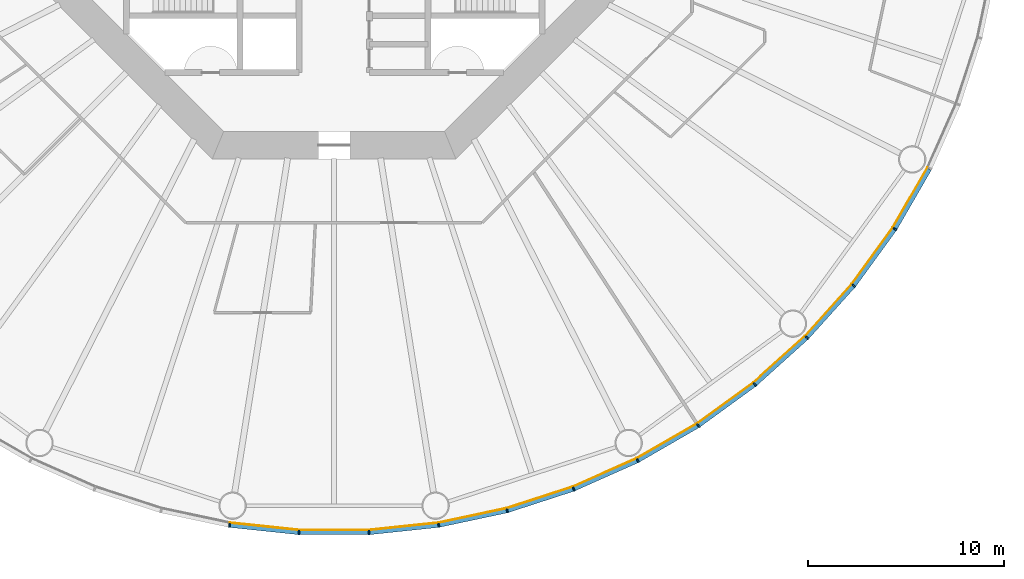
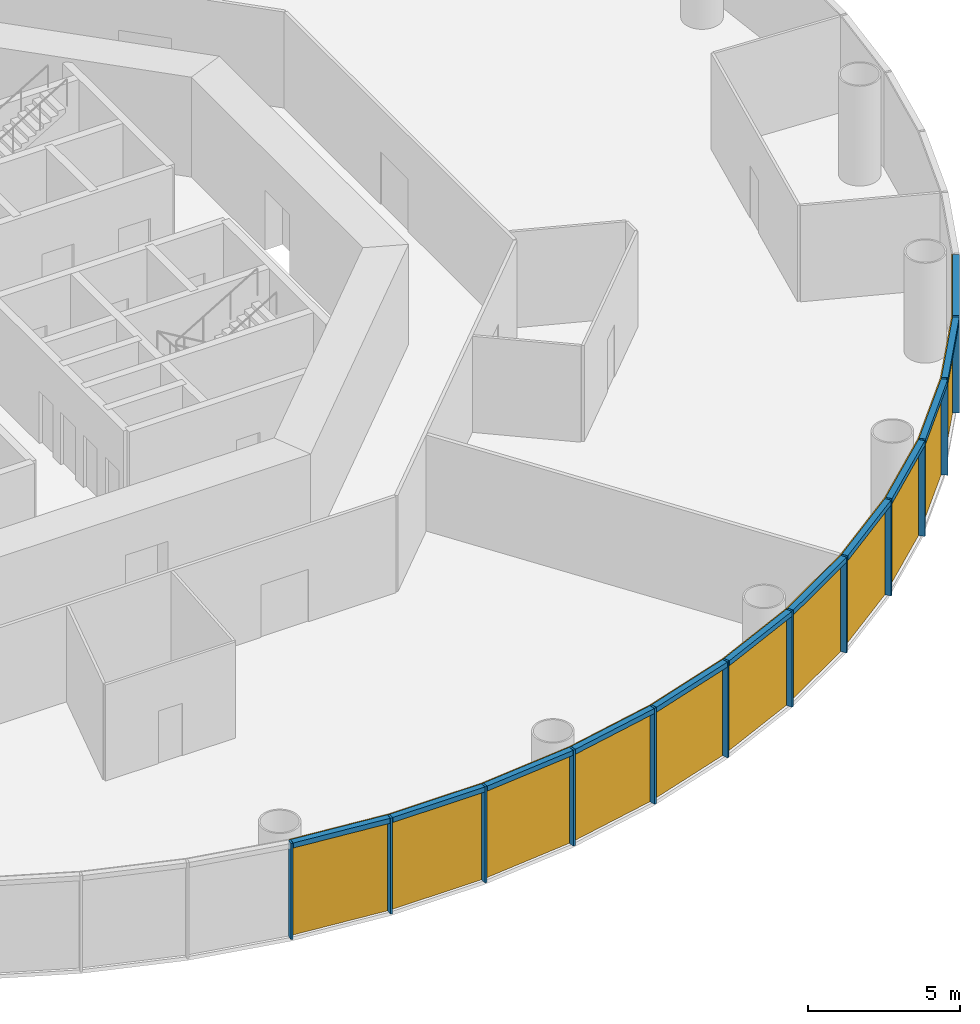
# One storey, part 8 of 13: 24 members, 4 curtain walls.
"""IFC4 building model written with IfcOpenShell, lengths in metres."""

import ifcopenshell
import ifcopenshell.guid

model = None  # the IFC model being written
_history = None  # IfcOwnerHistory: only IFC2X3 demands one
_inside = {}  # id of a spatial element -> (the spatial element, [elements in it])
_under = {}  # id of a project, library or spatial element -> (it, [spatial elements below it])
_declared = {}  # id of a project -> (the project, [libraries it declares])
_typed = {}  # id of a type object -> (the type object, [elements of that type])
_made_of = {}  # id of a material, layer set ... -> (it, [elements and type objects made of it])


def new_model(schema):
    """Start an empty IFC model of exactly this schema.

    Asked for "IFC4X3", IfcOpenShell would pick the latest addendum, in which some entities
    have other attributes; the version numbers below select the first issue.
    IFC2X3 requires an IfcOwnerHistory on every rooted entity: one is made here for all.
    """
    global model, _history
    if schema == "IFC4X3":
        model = ifcopenshell.file(schema_version=(4, 3, 0, 0))
    else:
        model = ifcopenshell.file(schema=schema)
    _inside.clear()
    _under.clear()
    _declared.clear()
    _typed.clear()
    _made_of.clear()
    _history = None
    if model.schema == "IFC2X3":
        org = make("IfcOrganization", Name="unknown")
        user = make(
            "IfcPersonAndOrganization",
            ThePerson=make("IfcPerson", FamilyName="unknown"),
            TheOrganization=org,
        )
        app = make(
            "IfcApplication",
            ApplicationDeveloper=org,
            Version="unknown",
            ApplicationFullName="unknown",
            ApplicationIdentifier="unknown",
        )
        _history = make(
            "IfcOwnerHistory",
            OwningUser=user,
            OwningApplication=app,
            ChangeAction="ADDED",
            CreationDate=0,
        )
    return model


def make(cls, **values):
    """One entity of the class cls with the attributes given. An attribute that is None is left unset."""
    return model.create_entity(
        cls, **{name: value for name, value in values.items() if value is not None}
    )


def rooted(cls, **values):
    """An entity with a GlobalId (a new one), such as an element, a storey or a relation."""
    return make(cls, GlobalId=ifcopenshell.guid.new(), OwnerHistory=_history, **values)


def si_unit(unit_type, name, prefix=None):
    """IfcSIUnit, for example si_unit("LENGTHUNIT", "METRE", prefix="MILLI")."""
    return make("IfcSIUnit", UnitType=unit_type, Prefix=prefix, Name=name)


def assignment(units):
    """IfcUnitAssignment: the units of a project."""
    return None if units is None else make("IfcUnitAssignment", Units=units)


def point(xyz):
    """IfcCartesianPoint."""
    return None if xyz is None else make("IfcCartesianPoint", Coordinates=xyz)


def direction(xyz):
    """IfcDirection."""
    return None if xyz is None else make("IfcDirection", DirectionRatios=xyz)


def frame(location, z_axis=None, x_axis=None):
    """IfcAxis2Placement3D, a coordinate frame: its origin and axes. An axis left out is left unset."""
    return make(
        "IfcAxis2Placement3D",
        Location=point(location),
        Axis=direction(z_axis),
        RefDirection=direction(x_axis),
    )


def frame_2d(location, x_axis=None):
    """IfcAxis2Placement2D, a coordinate frame in the plane: its origin and x axis."""
    return make(
        "IfcAxis2Placement2D", Location=point(location), RefDirection=direction(x_axis)
    )


def origin():
    """The frame at (0, 0, 0) with its axes left unset."""
    return frame((0.0, 0.0, 0.0))


def origin_2d():
    """The frame at (0, 0) in the plane with its x axis left unset."""
    return frame_2d((0.0, 0.0))


def place(relative_to, where):
    """IfcLocalPlacement: puts the frame where relative to a parent placement (None: the world)."""
    return make(
        "IfcLocalPlacement", PlacementRelTo=relative_to, RelativePlacement=where
    )


def context(
    kind, dimensions, precision=None, world=None, true_north=None, identifier=None
):
    """IfcGeometricRepresentationContext, for example the 3D "Model" context."""
    return make(
        "IfcGeometricRepresentationContext",
        ContextIdentifier=identifier,
        ContextType=kind,
        CoordinateSpaceDimension=dimensions,
        Precision=precision,
        WorldCoordinateSystem=world,
        TrueNorth=true_north,
    )


def subcontext(parent, identifier, kind, view, scale=None):
    """IfcGeometricRepresentationSubContext, for example "Body" below "Model"."""
    return make(
        "IfcGeometricRepresentationSubContext",
        ContextIdentifier=identifier,
        ContextType=kind,
        ParentContext=parent,
        TargetScale=scale,
        TargetView=view,
    )


def project(units=None, contexts=None):
    """IfcProject with its units and contexts."""
    return rooted(
        "IfcProject",
        Name="project",
        RepresentationContexts=contexts,
        UnitsInContext=assignment(units),
    )


def spatial(cls, under=None, at=None, **own):
    """A site, building, storey or space (cls), placed at a placement, below another one or the project."""
    s = rooted(cls, ObjectPlacement=at, **own)
    if under is not None:
        _under.setdefault(under.id(), (under, []))[1].append(s)
    return s


def polyline(points):
    """IfcPolyline through the points."""
    return make("IfcPolyline", Points=[point(p) for p in points])


def profile(cls, at=None, kind="AREA", **sizes):
    """A parametric profile (cls). Its sizes go by their IFC names, for example OverallWidth=200.0."""
    return make(cls, ProfileType=kind, Position=at, **sizes)


def rectangle(**sizes):
    """IfcRectangleProfileDef."""
    return profile("IfcRectangleProfileDef", **sizes)


def outline(outer, holes=None, kind="AREA"):
    """IfcArbitraryClosedProfileDef: a profile drawn as a closed curve; with holes, ...WithVoids."""
    if holes is None:
        return make("IfcArbitraryClosedProfileDef", ProfileType=kind, OuterCurve=outer)
    return make(
        "IfcArbitraryProfileDefWithVoids",
        ProfileType=kind,
        OuterCurve=outer,
        InnerCurves=holes,
    )


def extrude(swept, where, along, depth):
    """IfcExtrudedAreaSolid: the profile swept, set in the frame where, extruded along a direction by depth."""
    return make(
        "IfcExtrudedAreaSolid",
        SweptArea=swept,
        Position=where,
        ExtrudedDirection=direction(along),
        Depth=depth,
    )


def shape(context_of_items, identifier, shape_type, items):
    """IfcShapeRepresentation: the items that make up one representation, for example the "Body"."""
    return make(
        "IfcShapeRepresentation",
        ContextOfItems=context_of_items,
        RepresentationIdentifier=identifier,
        RepresentationType=shape_type,
        Items=items,
    )


def material(Name=None, Category=None):
    """IfcMaterial."""
    return make("IfcMaterial", Name=Name, Category=Category)


def layer(
    of_material, thickness, ventilated=None, Name=None, Category=None, Priority=None
):
    """IfcMaterialLayer: one layer of a wall or slab, of a material (None: an air gap)."""
    return make(
        "IfcMaterialLayer",
        Material=of_material,
        LayerThickness=thickness,
        IsVentilated=ventilated,
        Name=Name,
        Category=Category,
        Priority=Priority,
    )


def layer_set(layers, Name=None):
    """IfcMaterialLayerSet."""
    return make("IfcMaterialLayerSet", MaterialLayers=layers, LayerSetName=Name)


def material_profile(
    of_material, cross_section, Name=None, Category=None, Priority=None
):
    """IfcMaterialProfile: a cross section and its material."""
    return make(
        "IfcMaterialProfile",
        Name=Name,
        Material=of_material,
        Profile=cross_section,
        Priority=Priority,
        Category=Category,
    )


def profile_set(profiles, Name=None, composite=None):
    """IfcMaterialProfileSet."""
    return make(
        "IfcMaterialProfileSet",
        Name=Name,
        MaterialProfiles=profiles,
        CompositeProfile=composite,
    )


def made_of(thing, what):
    """Note that an element or type object is made of a material, layer set ...; save() writes the relation."""
    if what is not None:
        _made_of.setdefault(what.id(), (what, []))[1].append(thing)
    return thing


def type_object(cls, material=None, **own):
    """A type object (cls), such as IfcWallType, which elements share."""
    return made_of(rooted(cls, **own), material)


def element(
    cls,
    number,
    at=None,
    inside=None,
    cuts=None,
    type_object=None,
    material=None,
    context=None,
    identifier="Body",
    shape_type=None,
    held_by="IfcProductDefinitionShape",
    body=None,
    shapes=None,
    **own,
):
    """One element of the class cls, such as IfcWall. Its Tag is "e" and its number.

    at: its placement. inside: the storey or other place that contains it. cuts: it is an
    opening in that element (IfcRelVoidsElement). A single representation is given by context,
    identifier, shape_type and body (its items); several are given by shapes. held_by: the class
    of the entity that holds the representations. save() writes the other relations.
    """
    e = rooted(cls, Tag="e%d" % number, ObjectPlacement=at, **own)
    if body is not None:
        shapes = [shape(context, identifier, shape_type, body)]
    if shapes is not None:
        e.Representation = make(held_by, Representations=shapes)
    if inside is not None:
        _inside.setdefault(inside.id(), (inside, []))[1].append(e)
    if cuts is not None:
        rooted(
            "IfcRelVoidsElement", RelatingBuildingElement=cuts, RelatedOpeningElement=e
        )
    if type_object is not None:
        _typed.setdefault(type_object.id(), (type_object, []))[1].append(e)
    return made_of(e, material)


def aggregate(whole, parts):
    """IfcRelAggregates: a whole, such as a stair, and the parts it consists of."""
    return rooted("IfcRelAggregates", RelatingObject=whole, RelatedObjects=parts)


def save(model, path):
    """Write the relations noted so far, then the file.

    IfcRelAggregates (storeys below a building ...), IfcRelContainedInSpatialStructure (elements
    in a storey), IfcRelDefinesByType, IfcRelAssociatesMaterial and IfcRelDeclares: one each for
    every whole, place, type object, material and project.
    """
    for whole, parts in _under.values():
        aggregate(whole, parts)
    for where, things in _inside.values():
        rooted(
            "IfcRelContainedInSpatialStructure",
            RelatedElements=things,
            RelatingStructure=where,
        )
    for kind, things in _typed.values():
        rooted("IfcRelDefinesByType", RelatedObjects=things, RelatingType=kind)
    for what, things in _made_of.values():
        rooted("IfcRelAssociatesMaterial", RelatedObjects=things, RelatingMaterial=what)
    for by, libraries in _declared.values():
        rooted("IfcRelDeclares", RelatingContext=by, RelatedDefinitions=libraries)
    model.write(path)


model = new_model("IFC4")

# Units and contexts
model_context = context("Model", 3, precision=1e-05, world=origin(), true_north=direction((0.0, 1.0)))
body_context = subcontext(model_context, "Body", "Model", "MODEL_VIEW")
ifc_project = project(units=[si_unit("LENGTHUNIT", "METRE"), si_unit("AREAUNIT", "SQUARE_METRE"), si_unit("VOLUMEUNIT", "CUBIC_METRE"), si_unit("PLANEANGLEUNIT", "RADIAN"), si_unit("MASSUNIT", "GRAM", prefix="KILO")], contexts=[model_context])

# Member
ifc_material_1 = material(Name="Anodised aluminium", Category="aluminium")
ifc_material_profile_1 = material_profile(ifc_material_1, rectangle(XDim=0.074951171875, YDim=0.219970703125, at=origin_2d()), Name="Mullion 75 x 220 mm anodised aluminium")
ifc_profile_set_1 = profile_set([ifc_material_profile_1], Name="Anodised aluminium")
member_type_1 = type_object("IfcMemberType", Name="Mullion 75 x 220 mm anodised aluminium", PredefinedType="MULLION", material=ifc_profile_set_1)
site_placement = place(None, origin())
building_placement = place(site_placement, origin())
storey_placement = place(building_placement, frame((0.0, 0.0, 46.0)))
member_1_placement = place(storey_placement, frame((84.6640625, 46.31005859375, 0.0), z_axis=(0.0, 0.0, 1.0), x_axis=(0.987688340595, -0.15643446504, 0.0)))
member_1 = element("IfcMember", 1, at=member_1_placement, type_object=member_type_1, Name="MULLION L09-42", PredefinedType="MULLION", context=body_context, shape_type="SweptSolid", body=[
    extrude(rectangle(XDim=0.074951171875, YDim=0.219970703125, at=origin_2d()), origin(), (0.0, 0.0, 1.0), 3.85009765625),
])

member_2_placement = place(storey_placement, frame((88.21484375, 45.936767578125, 0.0), z_axis=(0.0, 0.0, 1.0), x_axis=(0.998629534755, -0.052335956243, 0.0)))
member_2 = element("IfcMember", 2, at=member_2_placement, type_object=member_type_1, Name="MULLION L09-43", PredefinedType="MULLION", context=body_context, shape_type="SweptSolid", body=[
    extrude(rectangle(XDim=0.074951171875, YDim=0.219970703125, at=origin_2d()), origin(), (0.0, 0.0, 1.0), 3.85009765625),
])

member_3_placement = place(storey_placement, frame((91.78515625, 45.936767578125, 0.0), z_axis=(0.0, 0.0, 1.0), x_axis=(0.998629534755, 0.052335956243, 0.0)))
member_3 = element("IfcMember", 3, at=member_3_placement, type_object=member_type_1, Name="MULLION L09-44", PredefinedType="MULLION", context=body_context, shape_type="SweptSolid", body=[
    extrude(rectangle(XDim=0.074951171875, YDim=0.219970703125, at=origin_2d()), origin(), (0.0, 0.0, 1.0), 3.85009765625),
])

member_4_placement = place(storey_placement, frame((95.3359375, 46.31005859375, 0.0), z_axis=(0.0, 0.0, 1.0), x_axis=(0.987688340595, 0.15643446504, 0.0)))
member_4 = element("IfcMember", 4, at=member_4_placement, type_object=member_type_1, Name="MULLION L09-45", PredefinedType="MULLION", context=body_context, shape_type="SweptSolid", body=[
    extrude(rectangle(XDim=0.074951171875, YDim=0.219970703125, at=origin_2d()), origin(), (0.0, 0.0, 1.0), 3.85009765625),
])

member_5_placement = place(storey_placement, frame((98.828369140625, 47.05224609375, 0.0), z_axis=(0.0, 0.0, 1.0), x_axis=(0.965925826289, 0.258819045103, 0.0)))
member_5 = element("IfcMember", 5, at=member_5_placement, type_object=member_type_1, Name="MULLION L09-46", PredefinedType="MULLION", context=body_context, shape_type="SweptSolid", body=[
    extrude(rectangle(XDim=0.074951171875, YDim=0.219970703125, at=origin_2d()), origin(), (0.0, 0.0, 1.0), 3.85009765625),
])

member_6_placement = place(storey_placement, frame((102.223876953125, 48.155517578125, 0.0), z_axis=(0.0, 0.0, 1.0), x_axis=(0.933580426497, 0.358367949545, 0.0)))
member_6 = element("IfcMember", 6, at=member_6_placement, type_object=member_type_1, Name="MULLION L09-47", PredefinedType="MULLION", context=body_context, shape_type="SweptSolid", body=[
    extrude(rectangle(XDim=0.074951171875, YDim=0.219970703125, at=origin_2d()), origin(), (0.0, 0.0, 1.0), 3.85009765625),
])

member_7_placement = place(storey_placement, frame((105.485595703125, 49.607666015625, 0.0), z_axis=(0.0, 0.0, 1.0), x_axis=(0.891006524188, 0.45399049974, 0.0)))
member_7 = element("IfcMember", 7, at=member_7_placement, type_object=member_type_1, Name="MULLION L09-48", PredefinedType="MULLION", context=body_context, shape_type="SweptSolid", body=[
    extrude(rectangle(XDim=0.074951171875, YDim=0.219970703125, at=origin_2d()), origin(), (0.0, 0.0, 1.0), 3.85009765625),
])

member_8_placement = place(storey_placement, frame((108.57763671875, 51.39306640625, 0.0), z_axis=(0.0, 0.0, 1.0), x_axis=(0.838670567945, 0.544639035015, 0.0)))
member_8 = element("IfcMember", 8, at=member_8_placement, type_object=member_type_1, Name="MULLION L09-49", PredefinedType="MULLION", context=body_context, shape_type="SweptSolid", body=[
    extrude(rectangle(XDim=0.074951171875, YDim=0.219970703125, at=origin_2d()), origin(), (0.0, 0.0, 1.0), 3.85009765625),
])

member_9_placement = place(storey_placement, frame((111.466064453125, 53.491455078125, 0.0), z_axis=(0.0, 0.0, 1.0), x_axis=(0.777145961457, 0.62932039105, 0.0)))
member_9 = element("IfcMember", 9, at=member_9_placement, type_object=member_type_1, Name="MULLION L09-50", PredefinedType="MULLION", context=body_context, shape_type="SweptSolid", body=[
    extrude(rectangle(XDim=0.074951171875, YDim=0.219970703125, at=origin_2d()), origin(), (0.0, 0.0, 1.0), 3.85009765625),
])

member_10_placement = place(storey_placement, frame((114.119384765625, 55.880615234375, 0.0), z_axis=(0.0, 0.0, 1.0), x_axis=(0.707106781187, 0.707106781187, 0.0)))
member_10 = element("IfcMember", 10, at=member_10_placement, type_object=member_type_1, Name="MULLION L09-51", PredefinedType="MULLION", context=body_context, shape_type="SweptSolid", body=[
    extrude(rectangle(XDim=0.074951171875, YDim=0.219970703125, at=origin_2d()), origin(), (0.0, 0.0, 1.0), 3.85009765625),
])

member_11_placement = place(storey_placement, frame((116.508544921875, 58.533935546875, 0.0), z_axis=(0.0, 0.0, 1.0), x_axis=(0.62932039105, 0.777145961457, 0.0)))
member_11 = element("IfcMember", 11, at=member_11_placement, type_object=member_type_1, Name="MULLION L09-52", PredefinedType="MULLION", context=body_context, shape_type="SweptSolid", body=[
    extrude(rectangle(XDim=0.074951171875, YDim=0.219970703125, at=origin_2d()), origin(), (0.0, 0.0, 1.0), 3.85009765625),
])

member_12_placement = place(storey_placement, frame((118.60693359375, 61.42236328125, 0.0), z_axis=(0.0, 0.0, 1.0), x_axis=(0.544639035015, 0.838670567945, 0.0)))
member_12 = element("IfcMember", 12, at=member_12_placement, type_object=member_type_1, Name="MULLION L09-53", PredefinedType="MULLION", context=body_context, shape_type="SweptSolid", body=[
    extrude(rectangle(XDim=0.074951171875, YDim=0.219970703125, at=origin_2d()), origin(), (0.0, 0.0, 1.0), 3.85009765625),
])

ifc_material_2 = material(Name="Anodised aluminium", Category="aluminium")
ifc_material_profile_2 = material_profile(ifc_material_2, rectangle(XDim=0.219970703125, YDim=0.199951171875, at=origin_2d()), Name="Transom 200 x 220 mm anodised aluminium")
ifc_profile_set_2 = profile_set([ifc_material_profile_2], Name="Anodised aluminium")
member_type_2 = type_object("IfcMemberType", Name="Transom 200 x 220 mm anodised aluminium", PredefinedType="USERDEFINED", material=ifc_profile_set_2)
member_13_placement = place(storey_placement, frame((84.70703125, 46.30517578125, 3.75), z_axis=(0.994526551648, -0.104484152234, 0.0), x_axis=(0.104484152234, 0.994526551648, 0.0)))
member_13 = element("IfcMember", 13, at=member_13_placement, type_object=member_type_2, Name="TRANSOM L09-42", ObjectType="TRANSOM", PredefinedType="USERDEFINED", context=body_context, shape_type="SweptSolid", body=[
    extrude(rectangle(XDim=0.219970703125, YDim=0.199951171875, at=origin_2d()), origin(), (0.0, 0.0, 1.0), 3.48388671875),
])

member_14_placement = place(storey_placement, frame((88.258056640625, 45.9365234375, 3.75), z_axis=(1.0, 0.0, 0.0), x_axis=(0.0, 1.0, 0.0)))
member_14 = element("IfcMember", 14, at=member_14_placement, type_object=member_type_2, Name="TRANSOM L09-43", ObjectType="TRANSOM", PredefinedType="USERDEFINED", context=body_context, shape_type="SweptSolid", body=[
    extrude(rectangle(XDim=0.219970703125, YDim=0.199951171875, at=origin_2d()), origin(), (0.0, 0.0, 1.0), 3.48388671875),
])

member_15_placement = place(storey_placement, frame((91.828125, 45.941162109375, 3.75), z_axis=(0.994526551648, 0.104484152234, 0.0), x_axis=(-0.104484152234, 0.994526551648, 0.0)))
member_15 = element("IfcMember", 15, at=member_15_placement, type_object=member_type_2, Name="TRANSOM L09-44", ObjectType="TRANSOM", PredefinedType="USERDEFINED", context=body_context, shape_type="SweptSolid", body=[
    extrude(rectangle(XDim=0.219970703125, YDim=0.199951171875, at=origin_2d()), origin(), (0.0, 0.0, 1.0), 3.48388671875),
])

member_16_placement = place(storey_placement, frame((95.37841796875, 46.31884765625, 3.75), z_axis=(0.978145669426, 0.207920776701, 0.0), x_axis=(-0.207920776701, 0.978145669426, 0.0)))
member_16 = element("IfcMember", 16, at=member_16_placement, type_object=member_type_2, Name="TRANSOM L09-45", ObjectType="TRANSOM", PredefinedType="USERDEFINED", context=body_context, shape_type="SweptSolid", body=[
    extrude(rectangle(XDim=0.219970703125, YDim=0.199951171875, at=origin_2d()), origin(), (0.0, 0.0, 1.0), 3.48388671875),
])

member_17_placement = place(storey_placement, frame((98.869384765625, 47.0654296875, 3.75), z_axis=(0.951052605696, 0.309029029702, 0.0), x_axis=(-0.309029029702, 0.951052605696, 0.0)))
member_17 = element("IfcMember", 17, at=member_17_placement, type_object=member_type_2, Name="TRANSOM L09-46", ObjectType="TRANSOM", PredefinedType="USERDEFINED", context=body_context, shape_type="SweptSolid", body=[
    extrude(rectangle(XDim=0.219970703125, YDim=0.199951171875, at=origin_2d()), origin(), (0.0, 0.0, 1.0), 3.484130859375),
])

member_18_placement = place(storey_placement, frame((102.263427734375, 48.173095703125, 3.75), z_axis=(0.913545487371, 0.406736576304, 0.0), x_axis=(-0.406736576304, 0.913545487371, 0.0)))
member_18 = element("IfcMember", 18, at=member_18_placement, type_object=member_type_2, Name="TRANSOM L09-47", ObjectType="TRANSOM", PredefinedType="USERDEFINED", context=body_context, shape_type="SweptSolid", body=[
    extrude(rectangle(XDim=0.219970703125, YDim=0.199951171875, at=origin_2d()), origin(), (0.0, 0.0, 1.0), 3.48388671875),
])

member_19_placement = place(storey_placement, frame((105.523193359375, 49.629150390625, 3.75), z_axis=(0.866022206254, 0.500005538244, 0.0), x_axis=(-0.500005538244, 0.866022206254, 0.0)))
member_19 = element("IfcMember", 19, at=member_19_placement, type_object=member_type_2, Name="TRANSOM L09-48", ObjectType="TRANSOM", PredefinedType="USERDEFINED", context=body_context, shape_type="SweptSolid", body=[
    extrude(rectangle(XDim=0.219970703125, YDim=0.199951171875, at=origin_2d()), origin(), (0.0, 0.0, 1.0), 3.48388671875),
])

member_20_placement = place(storey_placement, frame((108.61279296875, 51.418212890625, 3.75), z_axis=(0.80899056535, 0.587821627006, 0.0), x_axis=(-0.587821627006, 0.80899056535, 0.0)))
member_20 = element("IfcMember", 20, at=member_20_placement, type_object=member_type_2, Name="TRANSOM L09-49", ObjectType="TRANSOM", PredefinedType="USERDEFINED", context=body_context, shape_type="SweptSolid", body=[
    extrude(rectangle(XDim=0.219970703125, YDim=0.199951171875, at=origin_2d()), origin(), (0.0, 0.0, 1.0), 3.48388671875),
])

member_21_placement = place(storey_placement, frame((111.498291015625, 53.520263671875, 3.75), z_axis=(0.743137329876, 0.669138930974, 0.0), x_axis=(-0.669138930974, 0.743137329876, 0.0)))
member_21 = element("IfcMember", 21, at=member_21_placement, type_object=member_type_2, Name="TRANSOM L09-50", ObjectType="TRANSOM", PredefinedType="USERDEFINED", context=body_context, shape_type="SweptSolid", body=[
    extrude(rectangle(XDim=0.219970703125, YDim=0.199951171875, at=origin_2d()), origin(), (0.0, 0.0, 1.0), 3.484130859375),
])

member_22_placement = place(storey_placement, frame((114.1484375, 55.91259765625, 3.75), z_axis=(0.669138930974, 0.743137329876, 0.0), x_axis=(-0.743137329876, 0.669138930974, 0.0)))
member_22 = element("IfcMember", 22, at=member_22_placement, type_object=member_type_2, Name="TRANSOM L09-51", ObjectType="TRANSOM", PredefinedType="USERDEFINED", context=body_context, shape_type="SweptSolid", body=[
    extrude(rectangle(XDim=0.219970703125, YDim=0.199951171875, at=origin_2d()), origin(), (0.0, 0.0, 1.0), 3.484130859375),
])

member_23_placement = place(storey_placement, frame((116.533935546875, 58.56884765625, 3.75), z_axis=(0.587821627006, 0.80899056535, 0.0), x_axis=(-0.80899056535, 0.587821627006, 0.0)))
member_23 = element("IfcMember", 23, at=member_23_placement, type_object=member_type_2, Name="TRANSOM L09-52", ObjectType="TRANSOM", PredefinedType="USERDEFINED", context=body_context, shape_type="SweptSolid", body=[
    extrude(rectangle(XDim=0.219970703125, YDim=0.199951171875, at=origin_2d()), origin(), (0.0, 0.0, 1.0), 3.48388671875),
])

member_24_placement = place(storey_placement, frame((118.62890625, 61.459716796875, 3.75), z_axis=(0.500005538244, 0.866022206254, 0.0), x_axis=(-0.866022206254, 0.500005538244, 0.0)))
member_24 = element("IfcMember", 24, at=member_24_placement, type_object=member_type_2, Name="TRANSOM L09-53", ObjectType="TRANSOM", PredefinedType="USERDEFINED", context=body_context, shape_type="SweptSolid", body=[
    extrude(rectangle(XDim=0.219970703125, YDim=0.199951171875, at=origin_2d()), origin(), (0.0, 0.0, 1.0), 3.48388671875),
])

# Site, building, storey
site = spatial("IfcSite", under=ifc_project, at=site_placement, CompositionType="ELEMENT")
building = spatial("IfcBuilding", under=site, at=building_placement, Name="Entoto Ring Tower", CompositionType="ELEMENT")
storey = spatial("IfcBuildingStorey", under=building, at=storey_placement, Name="L09", CompositionType="ELEMENT", Elevation=46.0)

# Curtain wall
ifc_material_3 = material(Name="Clear low-iron glass", Category="glass")
ifc_layer = layer(ifc_material_3, 0.0400390625)
ifc_layer_set = layer_set([ifc_layer], Name="Clear low-iron glass")
curtain_wall_type = type_object("IfcCurtainWallType", Name="Curtain wall system CW1 glazing 40 mm", PredefinedType="NOTDEFINED", material=ifc_layer_set)
curtain_wall_1_placement = place(storey_placement, origin())
curtain_wall_1 = element("IfcCurtainWall", 25, at=curtain_wall_1_placement, inside=storey, type_object=curtain_wall_type, Name="CW1 L09-15", PredefinedType="NOTDEFINED", context=body_context, shape_type="SweptSolid", body=[
    extrude(outline(polyline([(84.68115234375, 46.418701171875), (88.220458984375, 46.046630859375), (91.779541015625, 46.046630859375), (95.31884765625, 46.418701171875), (95.3125, 46.458251953125), (91.77734375, 46.086669921875), (88.22265625, 46.086669921875), (84.6875, 46.458251953125), (84.68115234375, 46.418701171875)])), origin(), (0.0, 0.0, 1.0), 3.85009765625),
])

aggregate(curtain_wall_1, [member_1, member_2, member_3, member_13, member_14, member_15])

curtain_wall_2_placement = place(storey_placement, origin())
curtain_wall_2 = element("IfcCurtainWall", 26, at=curtain_wall_2_placement, inside=storey, type_object=curtain_wall_type, Name="CW1 L09-16", PredefinedType="NOTDEFINED", context=body_context, shape_type="SweptSolid", body=[
    extrude(outline(polyline([(95.31884765625, 46.418701171875), (98.7998046875, 47.158447265625), (102.1845703125, 48.25830078125), (105.435791015625, 49.705810546875), (105.41748046875, 49.741455078125), (102.170166015625, 48.295654296875), (98.78955078125, 47.197265625), (95.3125, 46.458251953125), (95.31884765625, 46.418701171875)])), origin(), (0.0, 0.0, 1.0), 3.85009765625),
])

aggregate(curtain_wall_2, [member_4, member_5, member_6, member_16, member_17, member_18])

curtain_wall_3_placement = place(storey_placement, origin())
curtain_wall_3 = element("IfcCurtainWall", 27, at=curtain_wall_3_placement, inside=storey, type_object=curtain_wall_type, Name="CW1 L09-17", PredefinedType="NOTDEFINED", context=body_context, shape_type="SweptSolid", body=[
    extrude(outline(polyline([(105.435791015625, 49.705810546875), (108.517822265625, 51.485107421875), (111.39697265625, 53.5771484375), (114.041748046875, 55.958251953125), (114.013427734375, 55.986572265625), (111.37158203125, 53.608154296875), (108.495849609375, 51.518798828125), (105.41748046875, 49.741455078125), (105.435791015625, 49.705810546875)])), origin(), (0.0, 0.0, 1.0), 3.85009765625),
])

aggregate(curtain_wall_3, [member_7, member_8, member_9, member_19, member_20, member_21])

curtain_wall_4_placement = place(storey_placement, origin())
curtain_wall_4 = element("IfcCurtainWall", 28, at=curtain_wall_4_placement, inside=storey, type_object=curtain_wall_type, Name="CW1 L09-18", PredefinedType="NOTDEFINED", context=body_context, shape_type="SweptSolid", body=[
    extrude(outline(polyline([(114.041748046875, 55.958251953125), (116.4228515625, 58.60302734375), (118.514892578125, 61.482177734375), (120.294189453125, 64.564208984375), (120.258544921875, 64.58251953125), (118.481201171875, 61.504150390625), (116.391845703125, 58.62841796875), (114.013427734375, 55.986572265625), (114.041748046875, 55.958251953125)])), origin(), (0.0, 0.0, 1.0), 3.85009765625),
])

aggregate(curtain_wall_4, [member_10, member_11, member_12, member_22, member_23, member_24])

save(model, "model.ifc")
